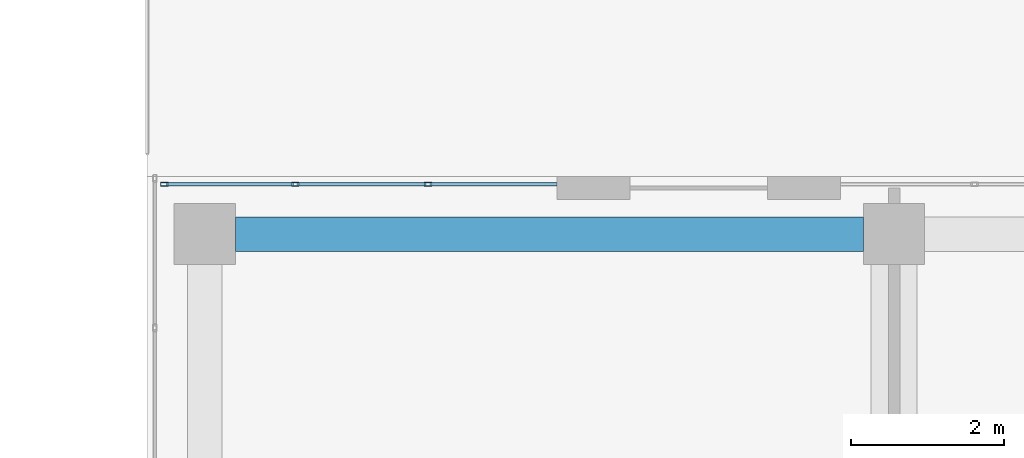
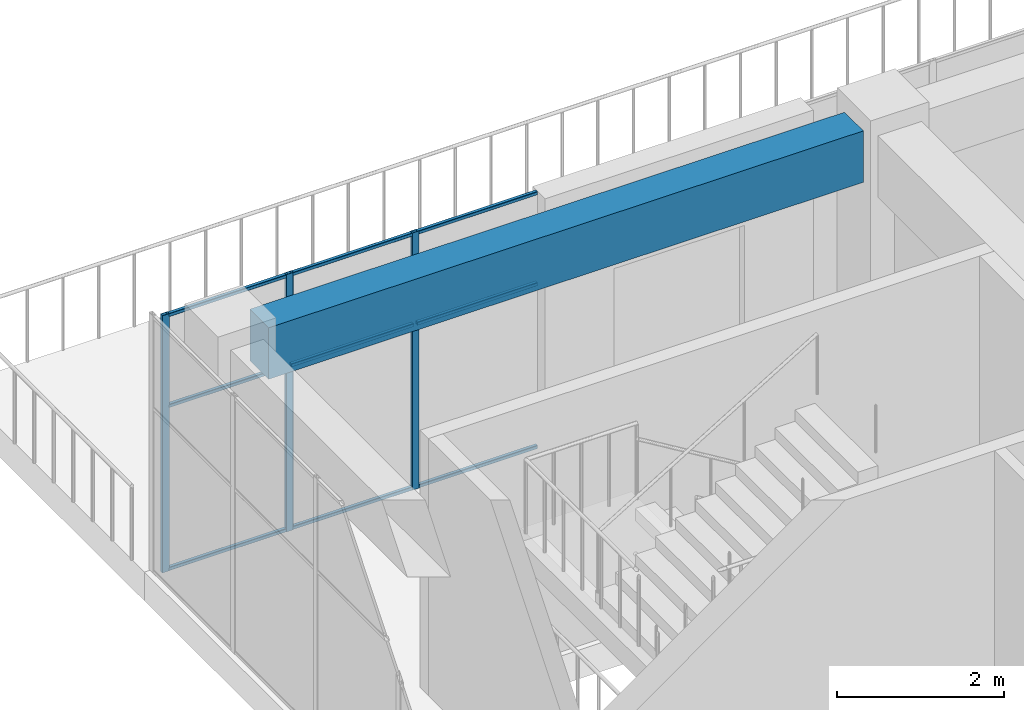
# One storey, part 45 of 81: 12 members, 1 beam, 1 element without a shape of its own.
"""IFC4 building model written with IfcOpenShell, lengths in metres."""

from ifc_helpers import new_model, si_unit, direction, frame, origin, origin_2d, place, context, subcontext, project, spatial, rectangle, hollow_rectangle, extrude, material, layer, layer_set, material_profile, profile_set, type_object, element, aggregate, save


model = new_model("IFC4")

# Units and contexts
model_context = context("Model", 3, precision=1e-05, world=origin(), true_north=direction((0.0, 1.0)))
body_context = subcontext(model_context, "Body", "Model", "MODEL_VIEW")
ifc_project = project(units=[si_unit("LENGTHUNIT", "METRE"), si_unit("AREAUNIT", "SQUARE_METRE"), si_unit("VOLUMEUNIT", "CUBIC_METRE"), si_unit("PLANEANGLEUNIT", "RADIAN"), si_unit("MASSUNIT", "GRAM", prefix="KILO")], contexts=[model_context])

# Site, building, storey
site_placement = place(None, origin())
site = spatial("IfcSite", under=ifc_project, at=site_placement, CompositionType="ELEMENT")
building_placement = place(site_placement, origin())
building = spatial("IfcBuilding", under=site, at=building_placement, Name="Tuart Plaza Theatre", CompositionType="ELEMENT")
storey_placement = place(building_placement, frame((0.0, 0.0, 17.5)))
storey = spatial("IfcBuildingStorey", under=building, at=storey_placement, Name="L04", CompositionType="ELEMENT", Elevation=17.5)

# Beam
ifc_material_1 = material(Name="Concrete N40 (40 MPa)", Category="concrete")
ifc_material_profile_1 = material_profile(ifc_material_1, rectangle(XDim=0.449951171875, YDim=0.75, at=origin_2d()), Name="BEAM 450x750 Concrete N40 (40 MPa)")
ifc_profile_set_1 = profile_set([ifc_material_profile_1], Name="Concrete N40 (40 MPa)")
beam_type = type_object("IfcBeamType", Name="BEAM 450x750 Concrete N40 (40 MPa)", PredefinedType="BEAM", material=ifc_profile_set_1)
beam_placement = place(storey_placement, frame((114.39990234375, 92.0, 3.375), z_axis=(1.0, 0.0, 0.0), x_axis=(0.0, 1.0, 0.0)))
element("IfcBeam", 1, at=beam_placement, inside=storey, type_object=beam_type, Name="RB215", PredefinedType="BEAM", context=body_context, shape_type="SweptSolid", body=[
    extrude(rectangle(XDim=0.449951171875, YDim=0.75, at=origin_2d()), origin(), (0.0, 0.0, 1.0), 8.2001953125),
])

# Curtain wall, members
ifc_material_2 = material(Name="Aluminium and glass", Category="aluminium")
ifc_layer = layer(ifc_material_2, 0.10009765625)
ifc_layer_set = layer_set([ifc_layer], Name="CURTAIN WALL 2000 module")
curtain_wall_type = type_object("IfcCurtainWallType", Name="CURTAIN WALL 2000 module", PredefinedType="NOTDEFINED", material=ifc_layer_set)
curtain_wall_placement = place(storey_placement, origin())
curtain_wall = element("IfcCurtainWall", 2, at=curtain_wall_placement, inside=storey, type_object=curtain_wall_type, Name="CW85", PredefinedType="NOTDEFINED")
ifc_material_3 = material(Name="Aluminium 6063-T5", Category="aluminium")
ifc_material_profile_2 = material_profile(ifc_material_3, hollow_rectangle(XDim=0.050048828125, YDim=0.10009765625, WallThickness=0.00390625, InnerFilletRadius=0.00390625, OuterFilletRadius=0.008056640625, at=origin_2d()), Name="RHS 100x50x4")
ifc_profile_set_2 = profile_set([ifc_material_profile_2], Name="Aluminium 6063-T5")
member_type_1 = type_object("IfcMemberType", Name="MULLION RHS 100x50x4", PredefinedType="MULLION", material=ifc_profile_set_2)
member_1_placement = place(storey_placement, frame((116.916748046875, 92.64990234375, 0.0), z_axis=(0.0, 0.0, 1.0), x_axis=(0.0, -1.0, 0.0)))
member_1 = element("IfcMember", 3, at=member_1_placement, type_object=member_type_1, Name="CW85 mullion 2", PredefinedType="MULLION", context=body_context, shape_type="SweptSolid", body=[
    extrude(hollow_rectangle(XDim=0.050048828125, YDim=0.10009765625, WallThickness=0.00390625, InnerFilletRadius=0.00390625, OuterFilletRadius=0.008056640625, at=origin_2d()), origin(), (0.0, 0.0, 1.0), 3.75),
])
member_2_placement = place(storey_placement, frame((115.183349609375, 92.64990234375, 0.0), z_axis=(0.0, 0.0, 1.0), x_axis=(0.0, -1.0, 0.0)))
member_2 = element("IfcMember", 4, at=member_2_placement, type_object=member_type_1, Name="CW85 mullion 3", PredefinedType="MULLION", context=body_context, shape_type="SweptSolid", body=[
    extrude(hollow_rectangle(XDim=0.050048828125, YDim=0.10009765625, WallThickness=0.00390625, InnerFilletRadius=0.00390625, OuterFilletRadius=0.008056640625, at=origin_2d()), origin(), (0.0, 0.0, 1.0), 3.75),
])
member_3_placement = place(storey_placement, frame((113.47509765625, 92.64990234375, 0.0), z_axis=(0.0, 0.0, 1.0), x_axis=(0.0, -1.0, 0.0)))
member_3 = element("IfcMember", 5, at=member_3_placement, type_object=member_type_1, Name="CW85 mullion 4", PredefinedType="MULLION", context=body_context, shape_type="SweptSolid", body=[
    extrude(hollow_rectangle(XDim=0.050048828125, YDim=0.10009765625, WallThickness=0.00390625, InnerFilletRadius=0.00390625, OuterFilletRadius=0.008056640625, at=origin_2d()), origin(), (0.0, 0.0, 1.0), 3.75),
])
ifc_material_4 = material(Name="Aluminium 6063-T5", Category="aluminium")
ifc_material_profile_3 = material_profile(ifc_material_4, hollow_rectangle(XDim=0.050048828125, YDim=0.050048828125, WallThickness=0.00390625, InnerFilletRadius=0.00390625, OuterFilletRadius=0.008056640625, at=origin_2d()), Name="RHS 50x50x4")
ifc_profile_set_3 = profile_set([ifc_material_profile_3], Name="Aluminium 6063-T5")
member_type_2 = type_object("IfcMemberType", Name="TRANSOM RHS 50x50x4", PredefinedType="USERDEFINED", material=ifc_profile_set_3)
member_4_placement = place(storey_placement, frame((118.60009765625, 92.64990234375, 0.02490234375), z_axis=(-1.0, 0.0, 0.0), x_axis=(0.0, -1.0, 0.0)))
member_4 = element("IfcMember", 6, at=member_4_placement, type_object=member_type_2, Name="CW85 transom 1.1", ObjectType="TRANSOM", PredefinedType="USERDEFINED", context=body_context, shape_type="SweptSolid", body=[
    extrude(hollow_rectangle(XDim=0.050048828125, YDim=0.050048828125, WallThickness=0.00390625, InnerFilletRadius=0.00390625, OuterFilletRadius=0.008056640625, at=origin_2d()), origin(), (0.0, 0.0, 1.0), 1.658447265625),
])
member_5_placement = place(storey_placement, frame((118.60009765625, 92.64990234375, 2.39990234375), z_axis=(-1.0, 0.0, 0.0), x_axis=(0.0, -1.0, 0.0)))
member_5 = element("IfcMember", 7, at=member_5_placement, type_object=member_type_2, Name="CW85 transom 1.2", ObjectType="TRANSOM", PredefinedType="USERDEFINED", context=body_context, shape_type="SweptSolid", body=[
    extrude(hollow_rectangle(XDim=0.050048828125, YDim=0.050048828125, WallThickness=0.00390625, InnerFilletRadius=0.00390625, OuterFilletRadius=0.008056640625, at=origin_2d()), origin(), (0.0, 0.0, 1.0), 1.658447265625),
])
member_6_placement = place(storey_placement, frame((118.60009765625, 92.64990234375, 3.72509765625), z_axis=(-1.0, 0.0, 0.0), x_axis=(0.0, -1.0, 0.0)))
member_6 = element("IfcMember", 8, at=member_6_placement, type_object=member_type_2, Name="CW85 transom 1.3", ObjectType="TRANSOM", PredefinedType="USERDEFINED", context=body_context, shape_type="SweptSolid", body=[
    extrude(hollow_rectangle(XDim=0.050048828125, YDim=0.050048828125, WallThickness=0.00390625, InnerFilletRadius=0.00390625, OuterFilletRadius=0.008056640625, at=origin_2d()), origin(), (0.0, 0.0, 1.0), 1.658447265625),
])
member_7_placement = place(storey_placement, frame((116.8916015625, 92.64990234375, 0.02490234375), z_axis=(-1.0, 0.0, 0.0), x_axis=(0.0, -1.0, 0.0)))
member_7 = element("IfcMember", 9, at=member_7_placement, type_object=member_type_2, Name="CW85 transom 2.1", ObjectType="TRANSOM", PredefinedType="USERDEFINED", context=body_context, shape_type="SweptSolid", body=[
    extrude(hollow_rectangle(XDim=0.050048828125, YDim=0.050048828125, WallThickness=0.00390625, InnerFilletRadius=0.00390625, OuterFilletRadius=0.008056640625, at=origin_2d()), origin(), (0.0, 0.0, 1.0), 1.683349609375),
])
member_8_placement = place(storey_placement, frame((116.8916015625, 92.64990234375, 2.39990234375), z_axis=(-1.0, 0.0, 0.0), x_axis=(0.0, -1.0, 0.0)))
member_8 = element("IfcMember", 10, at=member_8_placement, type_object=member_type_2, Name="CW85 transom 2.2", ObjectType="TRANSOM", PredefinedType="USERDEFINED", context=body_context, shape_type="SweptSolid", body=[
    extrude(hollow_rectangle(XDim=0.050048828125, YDim=0.050048828125, WallThickness=0.00390625, InnerFilletRadius=0.00390625, OuterFilletRadius=0.008056640625, at=origin_2d()), origin(), (0.0, 0.0, 1.0), 1.683349609375),
])
member_9_placement = place(storey_placement, frame((116.8916015625, 92.64990234375, 3.72509765625), z_axis=(-1.0, 0.0, 0.0), x_axis=(0.0, -1.0, 0.0)))
member_9 = element("IfcMember", 11, at=member_9_placement, type_object=member_type_2, Name="CW85 transom 2.3", ObjectType="TRANSOM", PredefinedType="USERDEFINED", context=body_context, shape_type="SweptSolid", body=[
    extrude(hollow_rectangle(XDim=0.050048828125, YDim=0.050048828125, WallThickness=0.00390625, InnerFilletRadius=0.00390625, OuterFilletRadius=0.008056640625, at=origin_2d()), origin(), (0.0, 0.0, 1.0), 1.683349609375),
])
member_10_placement = place(storey_placement, frame((115.158447265625, 92.64990234375, 0.02490234375), z_axis=(-1.0, 0.0, 0.0), x_axis=(0.0, -1.0, 0.0)))
member_10 = element("IfcMember", 12, at=member_10_placement, type_object=member_type_2, Name="CW85 transom 3.1", ObjectType="TRANSOM", PredefinedType="USERDEFINED", context=body_context, shape_type="SweptSolid", body=[
    extrude(hollow_rectangle(XDim=0.050048828125, YDim=0.050048828125, WallThickness=0.00390625, InnerFilletRadius=0.00390625, OuterFilletRadius=0.008056640625, at=origin_2d()), origin(), (0.0, 0.0, 1.0), 1.658447265625),
])
member_11_placement = place(storey_placement, frame((115.158447265625, 92.64990234375, 2.39990234375), z_axis=(-1.0, 0.0, 0.0), x_axis=(0.0, -1.0, 0.0)))
member_11 = element("IfcMember", 13, at=member_11_placement, type_object=member_type_2, Name="CW85 transom 3.2", ObjectType="TRANSOM", PredefinedType="USERDEFINED", context=body_context, shape_type="SweptSolid", body=[
    extrude(hollow_rectangle(XDim=0.050048828125, YDim=0.050048828125, WallThickness=0.00390625, InnerFilletRadius=0.00390625, OuterFilletRadius=0.008056640625, at=origin_2d()), origin(), (0.0, 0.0, 1.0), 1.658447265625),
])
member_12_placement = place(storey_placement, frame((115.158447265625, 92.64990234375, 3.72509765625), z_axis=(-1.0, 0.0, 0.0), x_axis=(0.0, -1.0, 0.0)))
member_12 = element("IfcMember", 14, at=member_12_placement, type_object=member_type_2, Name="CW85 transom 3.3", ObjectType="TRANSOM", PredefinedType="USERDEFINED", context=body_context, shape_type="SweptSolid", body=[
    extrude(hollow_rectangle(XDim=0.050048828125, YDim=0.050048828125, WallThickness=0.00390625, InnerFilletRadius=0.00390625, OuterFilletRadius=0.008056640625, at=origin_2d()), origin(), (0.0, 0.0, 1.0), 1.658447265625),
])
aggregate(curtain_wall, [member_1, member_2, member_3, member_4, member_5, member_6, member_7, member_8, member_9, member_10, member_11, member_12])

save(model, "model.ifc")
